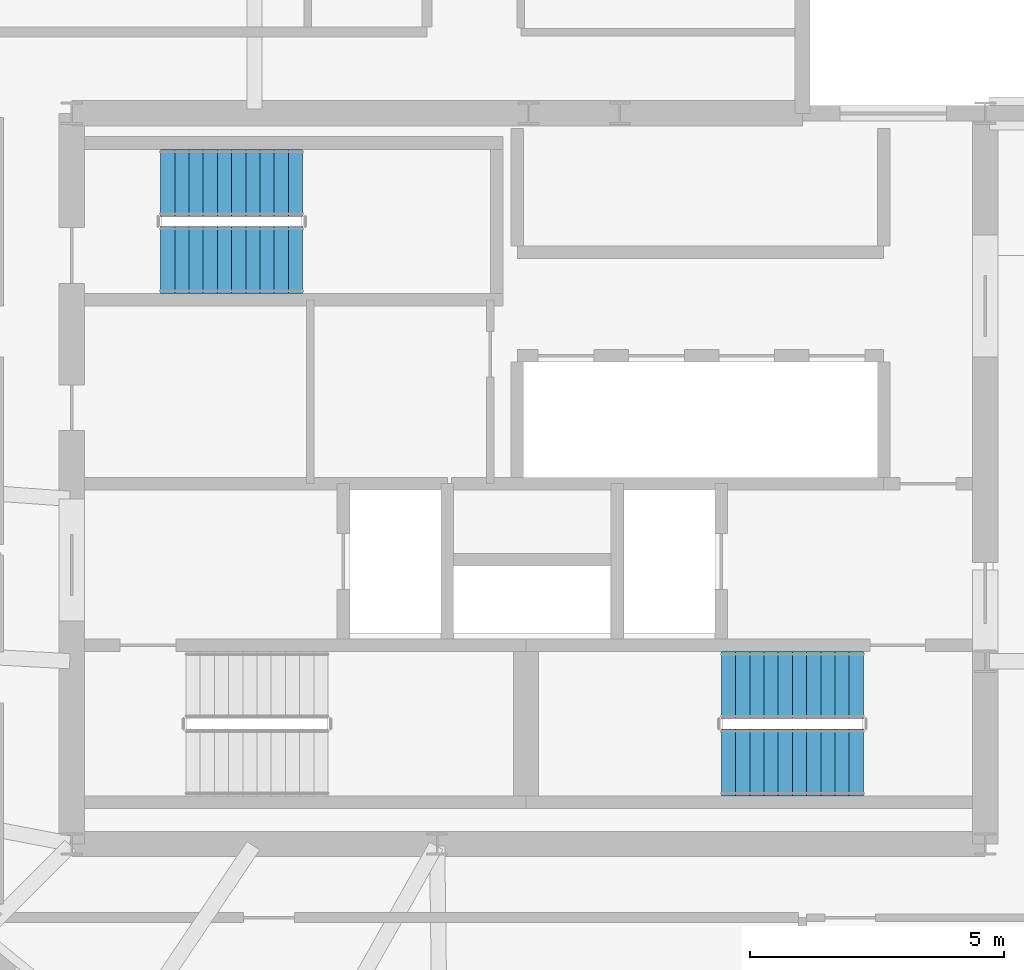
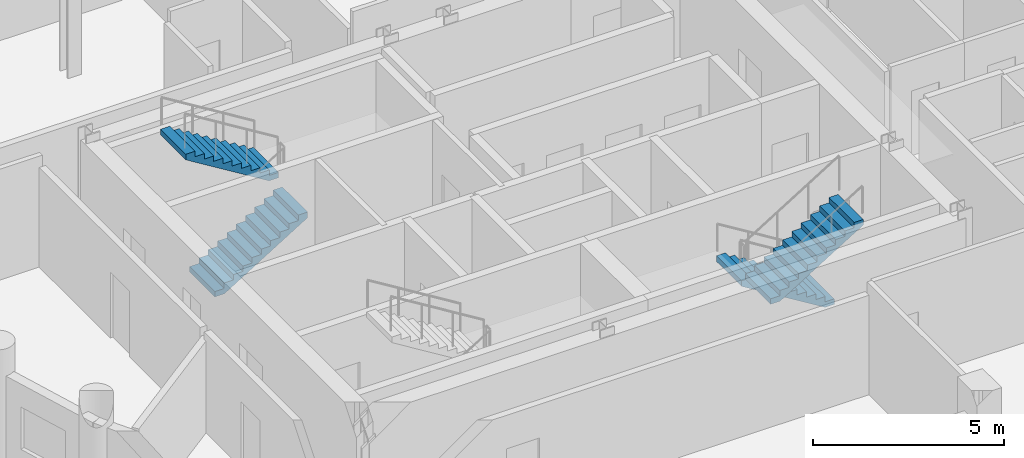
# One storey, part 8 of 9: 4 stair flights, 2 elements without a shape of their own.
"""IFC4 building model written with IfcOpenShell, lengths in metres."""

import ifcopenshell
import ifcopenshell.guid

model = None  # the IFC model being written
_history = None  # IfcOwnerHistory: only IFC2X3 demands one
_inside = {}  # id of a spatial element -> (the spatial element, [elements in it])
_under = {}  # id of a project, library or spatial element -> (it, [spatial elements below it])
_declared = {}  # id of a project -> (the project, [libraries it declares])
_typed = {}  # id of a type object -> (the type object, [elements of that type])
_made_of = {}  # id of a material, layer set ... -> (it, [elements and type objects made of it])


def new_model(schema):
    """Start an empty IFC model of exactly this schema.

    Asked for "IFC4X3", IfcOpenShell would pick the latest addendum, in which some entities
    have other attributes; the version numbers below select the first issue.
    IFC2X3 requires an IfcOwnerHistory on every rooted entity: one is made here for all.
    """
    global model, _history
    if schema == "IFC4X3":
        model = ifcopenshell.file(schema_version=(4, 3, 0, 0))
    else:
        model = ifcopenshell.file(schema=schema)
    _inside.clear()
    _under.clear()
    _declared.clear()
    _typed.clear()
    _made_of.clear()
    _history = None
    if model.schema == "IFC2X3":
        org = make("IfcOrganization", Name="unknown")
        user = make(
            "IfcPersonAndOrganization",
            ThePerson=make("IfcPerson", FamilyName="unknown"),
            TheOrganization=org,
        )
        app = make(
            "IfcApplication",
            ApplicationDeveloper=org,
            Version="unknown",
            ApplicationFullName="unknown",
            ApplicationIdentifier="unknown",
        )
        _history = make(
            "IfcOwnerHistory",
            OwningUser=user,
            OwningApplication=app,
            ChangeAction="ADDED",
            CreationDate=0,
        )
    return model


def make(cls, **values):
    """One entity of the class cls with the attributes given. An attribute that is None is left unset."""
    return model.create_entity(
        cls, **{name: value for name, value in values.items() if value is not None}
    )


def rooted(cls, **values):
    """An entity with a GlobalId (a new one), such as an element, a storey or a relation."""
    return make(cls, GlobalId=ifcopenshell.guid.new(), OwnerHistory=_history, **values)


def si_unit(unit_type, name, prefix=None):
    """IfcSIUnit, for example si_unit("LENGTHUNIT", "METRE", prefix="MILLI")."""
    return make("IfcSIUnit", UnitType=unit_type, Prefix=prefix, Name=name)


def assignment(units):
    """IfcUnitAssignment: the units of a project."""
    return None if units is None else make("IfcUnitAssignment", Units=units)


def point(xyz):
    """IfcCartesianPoint."""
    return None if xyz is None else make("IfcCartesianPoint", Coordinates=xyz)


def direction(xyz):
    """IfcDirection."""
    return None if xyz is None else make("IfcDirection", DirectionRatios=xyz)


def frame(location, z_axis=None, x_axis=None):
    """IfcAxis2Placement3D, a coordinate frame: its origin and axes. An axis left out is left unset."""
    return make(
        "IfcAxis2Placement3D",
        Location=point(location),
        Axis=direction(z_axis),
        RefDirection=direction(x_axis),
    )


def origin():
    """The frame at (0, 0, 0) with its axes left unset."""
    return frame((0.0, 0.0, 0.0))


def place(relative_to, where):
    """IfcLocalPlacement: puts the frame where relative to a parent placement (None: the world)."""
    return make(
        "IfcLocalPlacement", PlacementRelTo=relative_to, RelativePlacement=where
    )


def context(
    kind, dimensions, precision=None, world=None, true_north=None, identifier=None
):
    """IfcGeometricRepresentationContext, for example the 3D "Model" context."""
    return make(
        "IfcGeometricRepresentationContext",
        ContextIdentifier=identifier,
        ContextType=kind,
        CoordinateSpaceDimension=dimensions,
        Precision=precision,
        WorldCoordinateSystem=world,
        TrueNorth=true_north,
    )


def subcontext(parent, identifier, kind, view, scale=None):
    """IfcGeometricRepresentationSubContext, for example "Body" below "Model"."""
    return make(
        "IfcGeometricRepresentationSubContext",
        ContextIdentifier=identifier,
        ContextType=kind,
        ParentContext=parent,
        TargetScale=scale,
        TargetView=view,
    )


def project(units=None, contexts=None):
    """IfcProject with its units and contexts."""
    return rooted(
        "IfcProject",
        Name="project",
        RepresentationContexts=contexts,
        UnitsInContext=assignment(units),
    )


def spatial(cls, under=None, at=None, **own):
    """A site, building, storey or space (cls), placed at a placement, below another one or the project."""
    s = rooted(cls, ObjectPlacement=at, **own)
    if under is not None:
        _under.setdefault(under.id(), (under, []))[1].append(s)
    return s


def polyline(points):
    """IfcPolyline through the points."""
    return make("IfcPolyline", Points=[point(p) for p in points])


def outline(outer, holes=None, kind="AREA"):
    """IfcArbitraryClosedProfileDef: a profile drawn as a closed curve; with holes, ...WithVoids."""
    if holes is None:
        return make("IfcArbitraryClosedProfileDef", ProfileType=kind, OuterCurve=outer)
    return make(
        "IfcArbitraryProfileDefWithVoids",
        ProfileType=kind,
        OuterCurve=outer,
        InnerCurves=holes,
    )


def extrude(swept, where, along, depth):
    """IfcExtrudedAreaSolid: the profile swept, set in the frame where, extruded along a direction by depth."""
    return make(
        "IfcExtrudedAreaSolid",
        SweptArea=swept,
        Position=where,
        ExtrudedDirection=direction(along),
        Depth=depth,
    )


def shape(context_of_items, identifier, shape_type, items):
    """IfcShapeRepresentation: the items that make up one representation, for example the "Body"."""
    return make(
        "IfcShapeRepresentation",
        ContextOfItems=context_of_items,
        RepresentationIdentifier=identifier,
        RepresentationType=shape_type,
        Items=items,
    )


def material(Name=None, Category=None):
    """IfcMaterial."""
    return make("IfcMaterial", Name=Name, Category=Category)


def made_of(thing, what):
    """Note that an element or type object is made of a material, layer set ...; save() writes the relation."""
    if what is not None:
        _made_of.setdefault(what.id(), (what, []))[1].append(thing)
    return thing


def type_object(cls, material=None, **own):
    """A type object (cls), such as IfcWallType, which elements share."""
    return made_of(rooted(cls, **own), material)


def element(
    cls,
    number,
    at=None,
    inside=None,
    cuts=None,
    type_object=None,
    material=None,
    context=None,
    identifier="Body",
    shape_type=None,
    held_by="IfcProductDefinitionShape",
    body=None,
    shapes=None,
    **own,
):
    """One element of the class cls, such as IfcWall. Its Tag is "e" and its number.

    at: its placement. inside: the storey or other place that contains it. cuts: it is an
    opening in that element (IfcRelVoidsElement). A single representation is given by context,
    identifier, shape_type and body (its items); several are given by shapes. held_by: the class
    of the entity that holds the representations. save() writes the other relations.
    """
    e = rooted(cls, Tag="e%d" % number, ObjectPlacement=at, **own)
    if body is not None:
        shapes = [shape(context, identifier, shape_type, body)]
    if shapes is not None:
        e.Representation = make(held_by, Representations=shapes)
    if inside is not None:
        _inside.setdefault(inside.id(), (inside, []))[1].append(e)
    if cuts is not None:
        rooted(
            "IfcRelVoidsElement", RelatingBuildingElement=cuts, RelatedOpeningElement=e
        )
    if type_object is not None:
        _typed.setdefault(type_object.id(), (type_object, []))[1].append(e)
    return made_of(e, material)


def aggregate(whole, parts):
    """IfcRelAggregates: a whole, such as a stair, and the parts it consists of."""
    return rooted("IfcRelAggregates", RelatingObject=whole, RelatedObjects=parts)


def save(model, path):
    """Write the relations noted so far, then the file.

    IfcRelAggregates (storeys below a building ...), IfcRelContainedInSpatialStructure (elements
    in a storey), IfcRelDefinesByType, IfcRelAssociatesMaterial and IfcRelDeclares: one each for
    every whole, place, type object, material and project.
    """
    for whole, parts in _under.values():
        aggregate(whole, parts)
    for where, things in _inside.values():
        rooted(
            "IfcRelContainedInSpatialStructure",
            RelatedElements=things,
            RelatingStructure=where,
        )
    for kind, things in _typed.values():
        rooted("IfcRelDefinesByType", RelatedObjects=things, RelatingType=kind)
    for what, things in _made_of.values():
        rooted("IfcRelAssociatesMaterial", RelatedObjects=things, RelatingMaterial=what)
    for by, libraries in _declared.values():
        rooted("IfcRelDeclares", RelatingContext=by, RelatedDefinitions=libraries)
    model.write(path)


model = new_model("IFC4")

# Units and contexts
model_context = context("Model", 3, precision=1e-05, world=origin(), true_north=direction((0.0, 1.0)))
body_context = subcontext(model_context, "Body", "Model", "MODEL_VIEW")
ifc_project = project(units=[si_unit("LENGTHUNIT", "METRE"), si_unit("AREAUNIT", "SQUARE_METRE"), si_unit("VOLUMEUNIT", "CUBIC_METRE"), si_unit("PLANEANGLEUNIT", "RADIAN"), si_unit("MASSUNIT", "GRAM", prefix="KILO")], contexts=[model_context])

# Site, building, storey
site_placement = place(None, origin())
site = spatial("IfcSite", under=ifc_project, at=site_placement, CompositionType="ELEMENT")
building_placement = place(site_placement, origin())
building = spatial("IfcBuilding", under=site, at=building_placement, Name="Solnavia Interchange Tower", CompositionType="ELEMENT")
storey_placement = place(building_placement, frame((0.0, 0.0, 131.39990234375)))
storey = spatial("IfcBuildingStorey", under=building, at=storey_placement, Name="L32", CompositionType="ELEMENT", Elevation=131.39990234375)

# Stair, stair flights
ifc_material = material(Name="Concrete C40/50", Category="concrete")
stair_type = type_object("IfcStairType", Name="Stair-Dogleg-RC", PredefinedType="HALF_TURN_STAIR", material=ifc_material)
stair_1_placement = place(storey_placement, origin())
stair_1 = element("IfcStair", 1, at=stair_1_placement, inside=storey, type_object=stair_type, Name="L32 Core exit stair 2", PredefinedType="HALF_TURN_STAIR")
stair_flight_type = type_object("IfcStairFlightType", Name="StairFlight-RC-150", PredefinedType="STRAIGHT", material=ifc_material)
stair_flight_1_placement = place(storey_placement, frame((30.0, 13.929931640625, 0.0), z_axis=(0.0, 0.0, 1.0), x_axis=(-1.0, 0.0, 0.0)))
stair_flight_1 = element("IfcStairFlight", 2, at=stair_flight_1_placement, type_object=stair_flight_type, Name="ST-2 flight 1", NumberOfRisers=11, NumberOfTreads=10, PredefinedType="STRAIGHT", RiserHeight=0.172727273, TreadLength=0.28, context=body_context, shape_type="SweptSolid", body=[
    extrude(outline(polyline([(0.0, 0.0), (0.0, 0.172607421875), (0.280029296875, 0.172607421875), (0.280029296875, 0.345458984375), (0.56005859375, 0.345458984375), (0.56005859375, 0.51806640625), (0.840087890625, 0.51806640625), (0.840087890625, 0.69091796875), (1.1201171875, 0.69091796875), (1.1201171875, 0.863525390625), (1.39990234375, 0.863525390625), (1.39990234375, 1.036376953125), (1.679931640625, 1.036376953125), (1.679931640625, 1.208984375), (1.9599609375, 1.208984375), (1.9599609375, 1.3818359375), (2.239990234375, 1.3818359375), (2.239990234375, 1.554443359375), (2.52001953125, 1.554443359375), (2.52001953125, 1.727294921875), (2.800048828125, 1.727294921875), (2.800048828125, 1.89990234375), (2.800048828125, 1.551025390625), (0.285400390625, 0.0), (0.0, 0.0)])), frame((0.0, 0.66015625, 0.0), z_axis=(0.0, -1.0, 0.0), x_axis=(1.0, 0.0, 0.0)), (0.0, 0.0, 1.0), 1.320068359375),
])
stair_flight_2_placement = place(storey_placement, frame((27.199951171875, 12.409912109375, 1.900146484375), z_axis=(0.0, 0.0, 1.0), x_axis=(1.0, 0.0, 0.0)))
stair_flight_2 = element("IfcStairFlight", 3, at=stair_flight_2_placement, type_object=stair_flight_type, Name="ST-2 flight 2", NumberOfRisers=11, NumberOfTreads=10, PredefinedType="STRAIGHT", RiserHeight=0.172727273, TreadLength=0.28, context=body_context, shape_type="SweptSolid", body=[
    extrude(outline(polyline([(0.0, 0.0), (0.0, 0.172607421875), (0.280029296875, 0.172607421875), (0.280029296875, 0.345458984375), (0.56005859375, 0.345458984375), (0.56005859375, 0.51806640625), (0.840087890625, 0.51806640625), (0.840087890625, 0.69091796875), (1.1201171875, 0.69091796875), (1.1201171875, 0.863525390625), (1.39990234375, 0.863525390625), (1.39990234375, 1.036376953125), (1.679931640625, 1.036376953125), (1.679931640625, 1.208984375), (1.9599609375, 1.208984375), (1.9599609375, 1.3818359375), (2.239990234375, 1.3818359375), (2.239990234375, 1.554443359375), (2.52001953125, 1.554443359375), (2.52001953125, 1.727294921875), (2.800048828125, 1.727294921875), (2.800048828125, 1.89990234375), (2.800048828125, 1.551025390625), (0.285400390625, 0.0), (0.0, 0.0)])), frame((0.0, 0.66015625, 0.0), z_axis=(0.0, -1.0, 0.0), x_axis=(1.0, 0.0, 0.0)), (0.0, 0.0, 1.0), 1.320068359375),
])
aggregate(stair_1, [stair_flight_1, stair_flight_2])

stair_2_placement = place(storey_placement, origin())
stair_2 = element("IfcStair", 4, at=stair_2_placement, inside=storey, type_object=stair_type, Name="L32 Core exit stair 3", PredefinedType="HALF_TURN_STAIR")
stair_flight_3_placement = place(storey_placement, frame((16.14990234375, 22.31005859375, 0.0), z_axis=(0.0, 0.0, 1.0), x_axis=(1.0, 0.0, 0.0)))
stair_flight_3 = element("IfcStairFlight", 5, at=stair_flight_3_placement, type_object=stair_flight_type, Name="ST-3 flight 1", NumberOfRisers=11, NumberOfTreads=10, PredefinedType="STRAIGHT", RiserHeight=0.172727273, TreadLength=0.28, context=body_context, shape_type="SweptSolid", body=[
    extrude(outline(polyline([(0.0, 0.0), (0.0, 0.172607421875), (0.280029296875, 0.172607421875), (0.280029296875, 0.345458984375), (0.56005859375, 0.345458984375), (0.56005859375, 0.51806640625), (0.840087890625, 0.51806640625), (0.840087890625, 0.69091796875), (1.1201171875, 0.69091796875), (1.1201171875, 0.863525390625), (1.39990234375, 0.863525390625), (1.39990234375, 1.036376953125), (1.679931640625, 1.036376953125), (1.679931640625, 1.208984375), (1.9599609375, 1.208984375), (1.9599609375, 1.3818359375), (2.239990234375, 1.3818359375), (2.239990234375, 1.554443359375), (2.52001953125, 1.554443359375), (2.52001953125, 1.727294921875), (2.800048828125, 1.727294921875), (2.800048828125, 1.89990234375), (2.800048828125, 1.551025390625), (0.285400390625, 0.0), (0.0, 0.0)])), frame((0.0, 0.66015625, 0.0), z_axis=(0.0, -1.0, 0.0), x_axis=(1.0, 0.0, 0.0)), (0.0, 0.0, 1.0), 1.320068359375),
])
stair_flight_4_placement = place(storey_placement, frame((18.949951171875, 23.830078125, 1.900146484375), z_axis=(0.0, 0.0, 1.0), x_axis=(-1.0, 0.0, 0.0)))
stair_flight_4 = element("IfcStairFlight", 6, at=stair_flight_4_placement, type_object=stair_flight_type, Name="ST-3 flight 2", NumberOfRisers=11, NumberOfTreads=10, PredefinedType="STRAIGHT", RiserHeight=0.172727273, TreadLength=0.28, context=body_context, shape_type="SweptSolid", body=[
    extrude(outline(polyline([(0.0, 0.0), (0.0, 0.172607421875), (0.280029296875, 0.172607421875), (0.280029296875, 0.345458984375), (0.56005859375, 0.345458984375), (0.56005859375, 0.51806640625), (0.840087890625, 0.51806640625), (0.840087890625, 0.69091796875), (1.1201171875, 0.69091796875), (1.1201171875, 0.863525390625), (1.39990234375, 0.863525390625), (1.39990234375, 1.036376953125), (1.679931640625, 1.036376953125), (1.679931640625, 1.208984375), (1.9599609375, 1.208984375), (1.9599609375, 1.3818359375), (2.239990234375, 1.3818359375), (2.239990234375, 1.554443359375), (2.52001953125, 1.554443359375), (2.52001953125, 1.727294921875), (2.800048828125, 1.727294921875), (2.800048828125, 1.89990234375), (2.800048828125, 1.551025390625), (0.285400390625, 0.0), (0.0, 0.0)])), frame((0.0, 0.66015625, 0.0), z_axis=(0.0, -1.0, 0.0), x_axis=(1.0, 0.0, 0.0)), (0.0, 0.0, 1.0), 1.320068359375),
])
aggregate(stair_2, [stair_flight_3, stair_flight_4])

save(model, "model.ifc")
